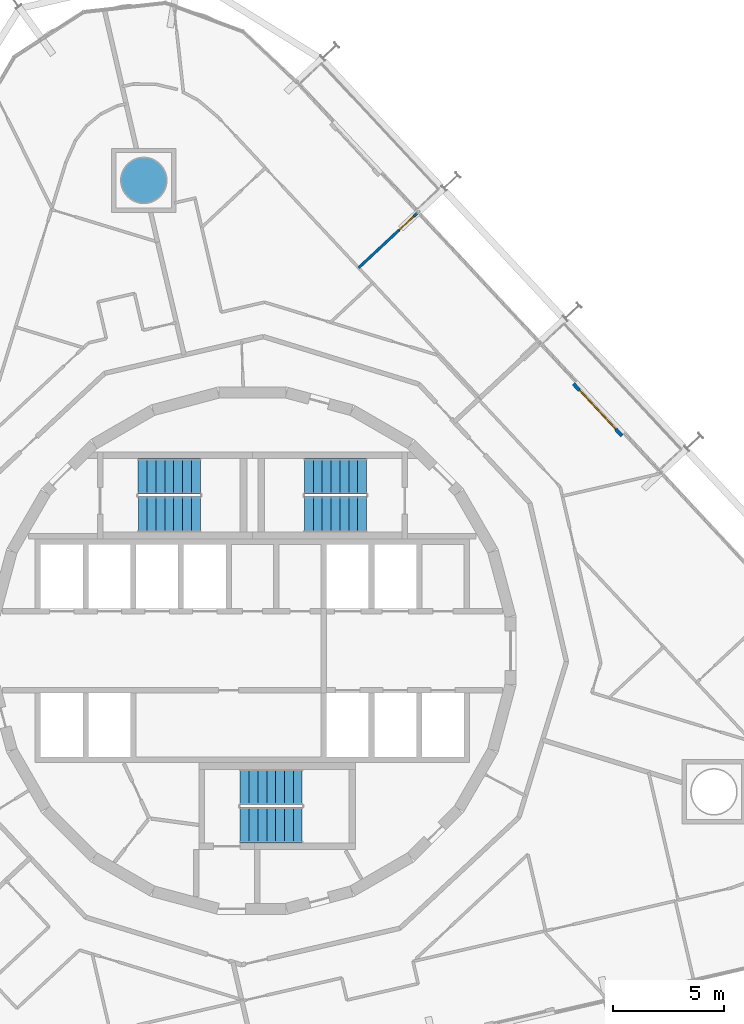
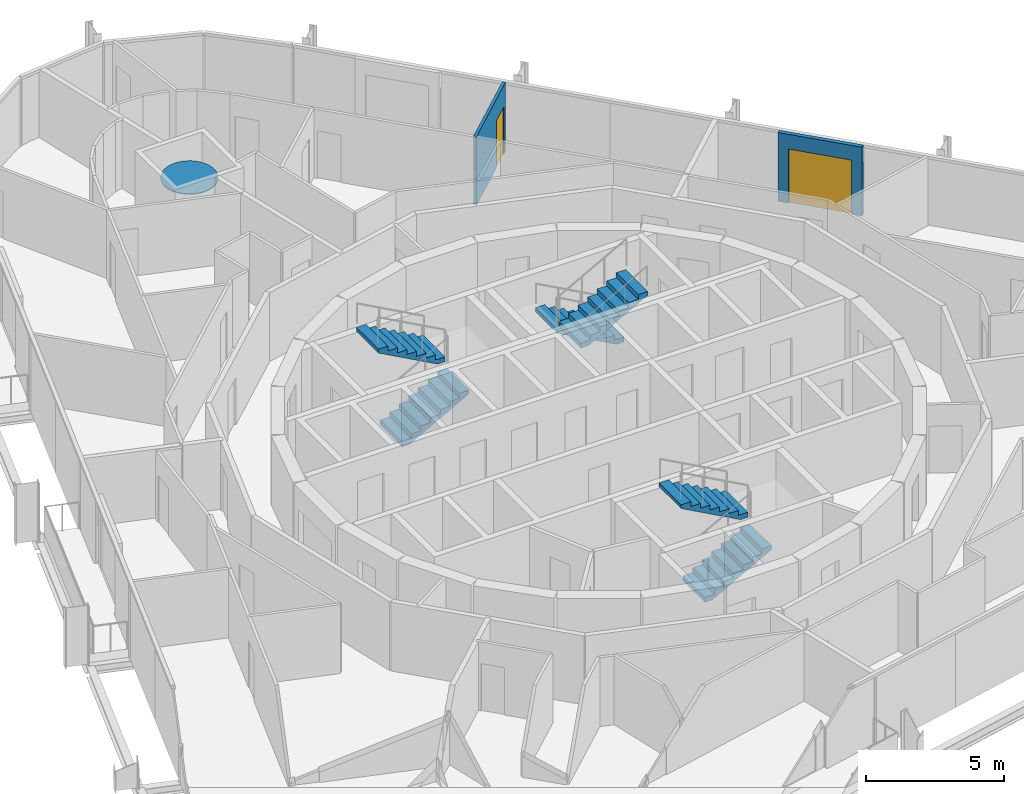
# One storey, part 17 of 18: 6 stair flights, 2 doors, 2 walls, 1 discrete accessory, 2 openings, 3 elements without a shape of their own.
"""IFC4 building model written with IfcOpenShell, lengths in metres."""

from ifc_helpers import new_model, si_unit, direction, frame, frame_2d, origin, place, context, subcontext, project, spatial, polyline, rectangle, outline, extrude, material, layer, layer_set, type_object, element, fill, aggregate, save


model = new_model("IFC4")

# Units and contexts
model_context = context("Model", 3, precision=1e-05, world=origin(), true_north=direction((0.0, 1.0)))
body_context = subcontext(model_context, "Body", "Model", "MODEL_VIEW")
ifc_project = project(units=[si_unit("LENGTHUNIT", "METRE"), si_unit("AREAUNIT", "SQUARE_METRE"), si_unit("VOLUMEUNIT", "CUBIC_METRE"), si_unit("PLANEANGLEUNIT", "RADIAN"), si_unit("MASSUNIT", "GRAM", prefix="KILO")], contexts=[model_context])

# Site, building, storey
site_placement = place(None, origin())
site = spatial("IfcSite", under=ifc_project, at=site_placement, CompositionType="ELEMENT")
building_placement = place(site_placement, origin())
building = spatial("IfcBuilding", under=site, at=building_placement, Name="Spindle Arch Residences", CompositionType="ELEMENT")
storey_placement = place(building_placement, frame((0.0, 0.0, 141.39990234375)))
storey = spatial("IfcBuildingStorey", under=building, at=storey_placement, Name="L35", CompositionType="ELEMENT", Elevation=141.39990234375)

# Wall, opening, door
ifc_material_1 = material(Name="Plasterboard on steel studs", Category="steel")
ifc_layer_1 = layer(ifc_material_1, 0.1201171875)
ifc_layer_set_1 = layer_set([ifc_layer_1], Name="Flat partition 120")
wall_type_1 = type_object("IfcWallType", Name="Flat partition 120", PredefinedType="PARTITIONING", material=ifc_layer_set_1)
wall_1_placement = place(storey_placement, frame((7.427490234375, 19.734375, 0.0), z_axis=(0.0, 0.0, 1.0), x_axis=(-0.73139345201, -0.681955730497, 0.0)))
wall_1 = element("IfcWall", 1, at=wall_1_placement, inside=storey, type_object=wall_type_1, Name="Flat partition R3C0-W048", PredefinedType="PARTITIONING", context=body_context, shape_type="SweptSolid", body=[
    extrude(rectangle(XDim=3.60009765625, YDim=0.1201171875, at=frame_2d((1.800048828125, 0.0))), origin(), (0.0, 0.0, 1.0), 3.050048828125),
])
opening_1_placement = place(wall_1_placement, frame((0.199951171875, 0.0, 0.0)))
opening_1 = element("IfcOpeningElement", 2, at=opening_1_placement, cuts=wall_1, Name="Opening R3C0-ID10", PredefinedType="OPENING", context=body_context, shape_type="SweptSolid", body=[
    extrude(rectangle(XDim=0.89990234375, YDim=2.10009765625, at=frame_2d((0.449951171875, 1.050048828125))), frame((0.0, 0.070068359375, 0.0), z_axis=(0.0, -1.0, 0.0), x_axis=(1.0, 0.0, 0.0)), (0.0, 0.0, 1.0), 0.14013671875),
])
ifc_material_2 = material(Name="Timber door set", Category="wood")
door_type_1 = type_object("IfcDoorType", Name="Room door 900x2100", OperationType="NOTDEFINED", PredefinedType="DOOR", material=ifc_material_2)
door_1_placement = place(opening_1_placement, origin())
door_1 = element("IfcDoor", 3, at=door_1_placement, inside=storey, type_object=door_type_1, Name="Room door R3C0-ID10", OperationType="SINGLE_SWING_LEFT", OverallHeight=2.10009765625, OverallWidth=0.89990234375, PredefinedType="DOOR", context=body_context, shape_type="SweptSolid", body=[
    extrude(rectangle(XDim=0.89990234375, YDim=2.10009765625, at=frame_2d((0.449951171875, 1.050048828125))), frame((0.0, 0.02490234375, 0.0), z_axis=(0.0, -1.0, 0.0), x_axis=(1.0, 0.0, 0.0)), (0.0, 0.0, 1.0), 0.050048828125),
])
fill(opening_1, door_1)

ifc_material_3 = material(Name="Non-combustible mineral wool insulated aluminium faced external wall (K0)", Category="aluminium")
ifc_layer_2 = layer(ifc_material_3, 0.159912109375)
ifc_layer_set_2 = layer_set([ifc_layer_2], Name="Insulated external wall panel 160")
wall_type_2 = type_object("IfcWallType", Name="Insulated external wall panel 160", PredefinedType="STANDARD", material=ifc_layer_set_2)
wall_2_placement = place(storey_placement, frame((16.673828125, 9.701416015625, 0.0), z_axis=(0.0, 0.0, 1.0), x_axis=(-0.681994703002, 0.731357111866, 0.0)))
wall_2 = element("IfcWall", 4, at=wall_2_placement, inside=storey, type_object=wall_type_2, Name="External wall L35 bay 7", PredefinedType="STANDARD", context=body_context, shape_type="SweptSolid", body=[
    extrude(rectangle(XDim=3.199951171875, YDim=0.159912109375, at=frame_2d((1.60009765625, 0.0))), origin(), (0.0, 0.0, 1.0), 3.050048828125),
])
opening_2_placement = place(wall_2_placement, frame((0.39990234375, 0.0, 0.0)))
opening_2 = element("IfcOpeningElement", 5, at=opening_2_placement, cuts=wall_2, Name="Opening BD07", PredefinedType="OPENING", context=body_context, shape_type="SweptSolid", body=[
    extrude(rectangle(XDim=2.39990234375, YDim=2.39990234375, at=frame_2d((1.199951171875, 1.199951171875))), frame((0.0, 0.08984375, 0.0), z_axis=(0.0, -1.0, 0.0), x_axis=(1.0, 0.0, 0.0)), (0.0, 0.0, 1.0), 0.179931640625),
])
ifc_material_4 = material(Name="Bronze aluminium frame, tinted double glazing", Category="aluminium")
door_type_2 = type_object("IfcDoorType", Name="Sliding glazed balcony door 2400x2400", OperationType="DOUBLE_DOOR_SLIDING", PredefinedType="DOOR", material=ifc_material_4)
door_2_placement = place(opening_2_placement, origin())
door_2 = element("IfcDoor", 6, at=door_2_placement, inside=storey, type_object=door_type_2, Name="Balcony door BD07", OperationType="DOUBLE_DOOR_SLIDING", OverallHeight=2.39990234375, OverallWidth=2.39990234375, PredefinedType="DOOR", context=body_context, shape_type="SweptSolid", body=[
    extrude(rectangle(XDim=2.39990234375, YDim=2.39990234375, at=frame_2d((1.199951171875, 1.199951171875))), frame((0.0, 0.02490234375, 0.0), z_axis=(0.0, -1.0, 0.0), x_axis=(1.0, 0.0, 0.0)), (0.0, 0.0, 1.0), 0.050048828125),
])
fill(opening_2, door_2)

# Stair, stair flights
ifc_material_5 = material(Name="Concrete C50/60", Category="concrete")
stair_type = type_object("IfcStairType", Name="Exit stair 16 risers", PredefinedType="HALF_TURN_STAIR", material=ifc_material_5)
stair_1_placement = place(storey_placement, origin())
stair_1 = element("IfcStair", 7, at=stair_1_placement, inside=storey, type_object=stair_type, Name="L35 Exit stair ST1", PredefinedType="HALF_TURN_STAIR")
ifc_material_6 = material(Name="Concrete C50/60", Category="concrete")
stair_flight_type = type_object("IfcStairFlightType", Name="Exit stair flight", PredefinedType="STRAIGHT", material=ifc_material_6)
stair_flight_1_placement = place(storey_placement, frame((5.14990234375, 7.8701171875, 0.0), z_axis=(0.0, 0.0, 1.0), x_axis=(-1.0, 0.0, 0.0)))
stair_flight_1 = element("IfcStairFlight", 8, at=stair_flight_1_placement, type_object=stair_flight_type, Name="ST1 flight 1", NumberOfRisers=8, NumberOfTreads=7, PredefinedType="STRAIGHT", RiserHeight=0.21875, TreadLength=0.4, context=body_context, shape_type="SweptSolid", body=[
    extrude(outline(polyline([(0.0, 0.0), (0.0, 0.21875), (0.39990234375, 0.21875), (0.39990234375, 0.4375), (0.800048828125, 0.4375), (0.800048828125, 0.65625), (1.199951171875, 0.65625), (1.199951171875, 0.875), (1.60009765625, 0.875), (1.60009765625, 1.09375), (2.0, 1.09375), (2.0, 1.3125), (2.39990234375, 1.3125), (2.39990234375, 1.53125), (2.800048828125, 1.53125), (2.800048828125, 1.75), (2.800048828125, 1.3603515625), (0.3125, 0.0), (0.0, 0.0)])), frame((0.0, 0.800048828125, 0.0), z_axis=(0.0, -1.0, 0.0), x_axis=(1.0, 0.0, 0.0)), (0.0, 0.0, 1.0), 1.60009765625),
])
stair_flight_2_placement = place(storey_placement, frame((2.35009765625, 6.14990234375, 1.75), z_axis=(0.0, 0.0, 1.0), x_axis=(1.0, 0.0, 0.0)))
stair_flight_2 = element("IfcStairFlight", 9, at=stair_flight_2_placement, type_object=stair_flight_type, Name="ST1 flight 2", NumberOfRisers=8, NumberOfTreads=7, PredefinedType="STRAIGHT", RiserHeight=0.21875, TreadLength=0.4, context=body_context, shape_type="SweptSolid", body=[
    extrude(outline(polyline([(0.0, 0.0), (0.0, 0.21875), (0.39990234375, 0.21875), (0.39990234375, 0.4375), (0.800048828125, 0.4375), (0.800048828125, 0.65625), (1.199951171875, 0.65625), (1.199951171875, 0.875), (1.60009765625, 0.875), (1.60009765625, 1.09375), (2.0, 1.09375), (2.0, 1.3125), (2.39990234375, 1.3125), (2.39990234375, 1.53125), (2.800048828125, 1.53125), (2.800048828125, 1.75), (2.800048828125, 1.3603515625), (0.3125, 0.0), (0.0, 0.0)])), frame((0.0, 0.800048828125, 0.0), z_axis=(0.0, -1.0, 0.0), x_axis=(1.0, 0.0, 0.0)), (0.0, 0.0, 1.0), 1.60009765625),
])
aggregate(stair_1, [stair_flight_1, stair_flight_2])

stair_2_placement = place(storey_placement, origin())
stair_2 = element("IfcStair", 10, at=stair_2_placement, inside=storey, type_object=stair_type, Name="L35 Exit stair ST2", PredefinedType="HALF_TURN_STAIR")
stair_flight_3_placement = place(storey_placement, frame((-5.14990234375, 6.14990234375, 0.0), z_axis=(0.0, 0.0, 1.0), x_axis=(1.0, 0.0, 0.0)))
stair_flight_3 = element("IfcStairFlight", 11, at=stair_flight_3_placement, type_object=stair_flight_type, Name="ST2 flight 1", NumberOfRisers=8, NumberOfTreads=7, PredefinedType="STRAIGHT", RiserHeight=0.21875, TreadLength=0.4, context=body_context, shape_type="SweptSolid", body=[
    extrude(outline(polyline([(0.0, 0.0), (0.0, 0.21875), (0.39990234375, 0.21875), (0.39990234375, 0.4375), (0.800048828125, 0.4375), (0.800048828125, 0.65625), (1.199951171875, 0.65625), (1.199951171875, 0.875), (1.60009765625, 0.875), (1.60009765625, 1.09375), (2.0, 1.09375), (2.0, 1.3125), (2.39990234375, 1.3125), (2.39990234375, 1.53125), (2.800048828125, 1.53125), (2.800048828125, 1.75), (2.800048828125, 1.3603515625), (0.3125, 0.0), (0.0, 0.0)])), frame((0.0, 0.800048828125, 0.0), z_axis=(0.0, -1.0, 0.0), x_axis=(1.0, 0.0, 0.0)), (0.0, 0.0, 1.0), 1.60009765625),
])
stair_flight_4_placement = place(storey_placement, frame((-2.35009765625, 7.8701171875, 1.75), z_axis=(0.0, 0.0, 1.0), x_axis=(-1.0, 0.0, 0.0)))
stair_flight_4 = element("IfcStairFlight", 12, at=stair_flight_4_placement, type_object=stair_flight_type, Name="ST2 flight 2", NumberOfRisers=8, NumberOfTreads=7, PredefinedType="STRAIGHT", RiserHeight=0.21875, TreadLength=0.4, context=body_context, shape_type="SweptSolid", body=[
    extrude(outline(polyline([(0.0, 0.0), (0.0, 0.21875), (0.39990234375, 0.21875), (0.39990234375, 0.4375), (0.800048828125, 0.4375), (0.800048828125, 0.65625), (1.199951171875, 0.65625), (1.199951171875, 0.875), (1.60009765625, 0.875), (1.60009765625, 1.09375), (2.0, 1.09375), (2.0, 1.3125), (2.39990234375, 1.3125), (2.39990234375, 1.53125), (2.800048828125, 1.53125), (2.800048828125, 1.75), (2.800048828125, 1.3603515625), (0.3125, 0.0), (0.0, 0.0)])), frame((0.0, 0.800048828125, 0.0), z_axis=(0.0, -1.0, 0.0), x_axis=(1.0, 0.0, 0.0)), (0.0, 0.0, 1.0), 1.60009765625),
])
aggregate(stair_2, [stair_flight_3, stair_flight_4])

stair_3_placement = place(storey_placement, origin())
stair_3 = element("IfcStair", 13, at=stair_3_placement, inside=storey, type_object=stair_type, Name="L35 Exit stair ST3", PredefinedType="HALF_TURN_STAIR")
stair_flight_5_placement = place(storey_placement, frame((-0.550048828125, -7.8701171875, 0.0), z_axis=(0.0, 0.0, 1.0), x_axis=(1.0, 0.0, 0.0)))
stair_flight_5 = element("IfcStairFlight", 14, at=stair_flight_5_placement, type_object=stair_flight_type, Name="ST3 flight 1", NumberOfRisers=8, NumberOfTreads=7, PredefinedType="STRAIGHT", RiserHeight=0.21875, TreadLength=0.4, context=body_context, shape_type="SweptSolid", body=[
    extrude(outline(polyline([(0.0, 0.0), (0.0, 0.21875), (0.39990234375, 0.21875), (0.39990234375, 0.4375), (0.800048828125, 0.4375), (0.800048828125, 0.65625), (1.199951171875, 0.65625), (1.199951171875, 0.875), (1.60009765625, 0.875), (1.60009765625, 1.09375), (2.0, 1.09375), (2.0, 1.3125), (2.39990234375, 1.3125), (2.39990234375, 1.53125), (2.800048828125, 1.53125), (2.800048828125, 1.75), (2.800048828125, 1.3603515625), (0.3125, 0.0), (0.0, 0.0)])), frame((0.0, 0.800048828125, 0.0), z_axis=(0.0, -1.0, 0.0), x_axis=(1.0, 0.0, 0.0)), (0.0, 0.0, 1.0), 1.60009765625),
])
stair_flight_6_placement = place(storey_placement, frame((2.25, -6.14990234375, 1.75), z_axis=(0.0, 0.0, 1.0), x_axis=(-1.0, 0.0, 0.0)))
stair_flight_6 = element("IfcStairFlight", 15, at=stair_flight_6_placement, type_object=stair_flight_type, Name="ST3 flight 2", NumberOfRisers=8, NumberOfTreads=7, PredefinedType="STRAIGHT", RiserHeight=0.21875, TreadLength=0.4, context=body_context, shape_type="SweptSolid", body=[
    extrude(outline(polyline([(0.0, 0.0), (0.0, 0.21875), (0.39990234375, 0.21875), (0.39990234375, 0.4375), (0.800048828125, 0.4375), (0.800048828125, 0.65625), (1.199951171875, 0.65625), (1.199951171875, 0.875), (1.60009765625, 0.875), (1.60009765625, 1.09375), (2.0, 1.09375), (2.0, 1.3125), (2.39990234375, 1.3125), (2.39990234375, 1.53125), (2.800048828125, 1.53125), (2.800048828125, 1.75), (2.800048828125, 1.3603515625), (0.3125, 0.0), (0.0, 0.0)])), frame((0.0, 0.800048828125, 0.0), z_axis=(0.0, -1.0, 0.0), x_axis=(1.0, 0.0, 0.0)), (0.0, 0.0, 1.0), 1.60009765625),
])
aggregate(stair_3, [stair_flight_5, stair_flight_6])

# Discrete accessory
ifc_material_7 = material(Name="Steel S460ML, intumescent coating R 240", Category="steel")
ifc_layer_3 = layer(ifc_material_7, 0.0400390625)
ifc_layer_set_3 = layer_set([ifc_layer_3], Name="End cap plate 40")
discrete_accessory_type = type_object("IfcDiscreteAccessoryType", Name="End cap plate 40", PredefinedType="BRACKET", material=ifc_layer_set_3)
discrete_accessory_placement = place(storey_placement, frame((0.0, 0.0, 2.196044921875)))
element("IfcDiscreteAccessory", 16, at=discrete_accessory_placement, inside=storey, type_object=discrete_accessory_type, Name="End cap Mega-column 2", PredefinedType="BRACKET", context=body_context, shape_type="SweptSolid", body=[
    extrude(outline(polyline([(-3.849853515625, 21.223388671875), (-3.8701171875, 21.42822265625), (-3.9296875, 21.625244140625), (-4.02685546875, 21.806884765625), (-4.1572265625, 21.966064453125), (-4.31640625, 22.096435546875), (-4.498046875, 22.193603515625), (-4.695068359375, 22.25341796875), (-4.89990234375, 22.2734375), (-5.1044921875, 22.25341796875), (-5.301513671875, 22.193603515625), (-5.483154296875, 22.096435546875), (-5.642333984375, 21.966064453125), (-5.772705078125, 21.806884765625), (-5.869873046875, 21.625244140625), (-5.9296875, 21.42822265625), (-5.94970703125, 21.223388671875), (-5.9296875, 21.018798828125), (-5.869873046875, 20.82177734375), (-5.772705078125, 20.64013671875), (-5.642333984375, 20.48095703125), (-5.483154296875, 20.3505859375), (-5.301513671875, 20.25341796875), (-5.1044921875, 20.193603515625), (-4.89990234375, 20.173583984375), (-4.695068359375, 20.193603515625), (-4.498046875, 20.25341796875), (-4.31640625, 20.3505859375), (-4.1572265625, 20.48095703125), (-4.02685546875, 20.64013671875), (-3.9296875, 20.82177734375), (-3.8701171875, 21.018798828125), (-3.849853515625, 21.223388671875)])), origin(), (0.0, 0.0, 1.0), 0.0400390625),
])

save(model, "model.ifc")
